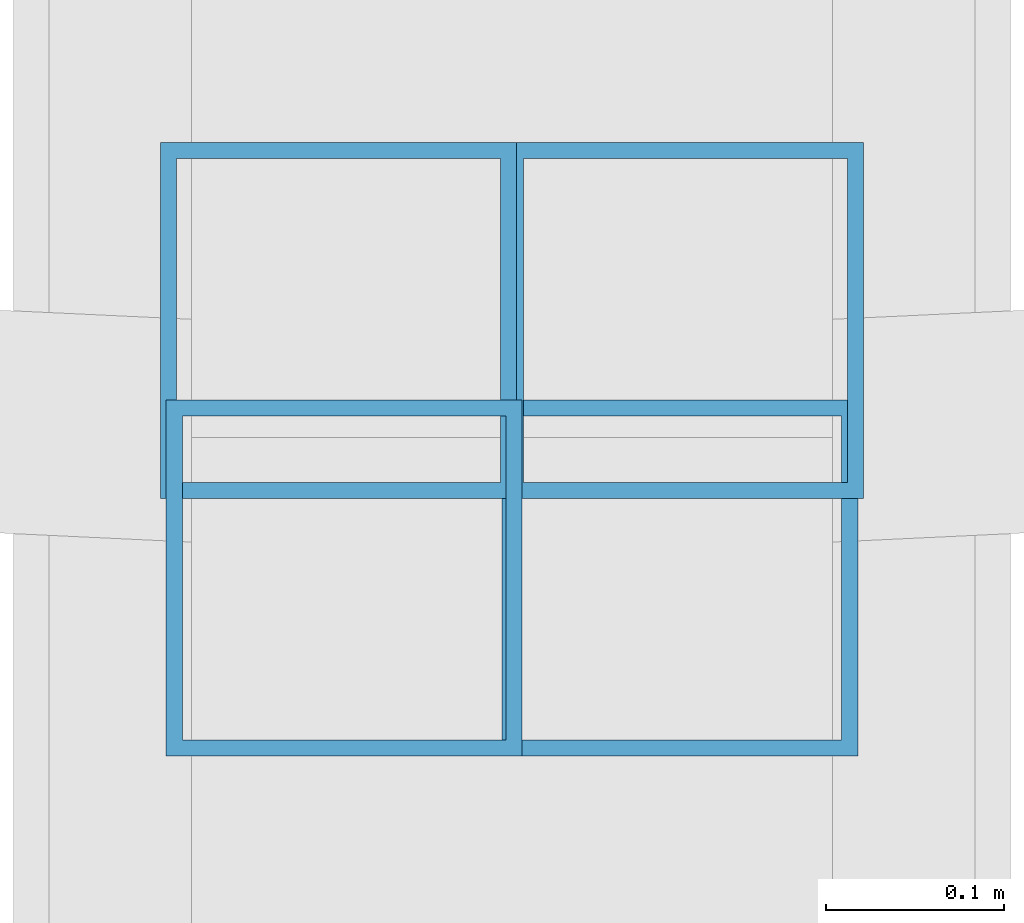
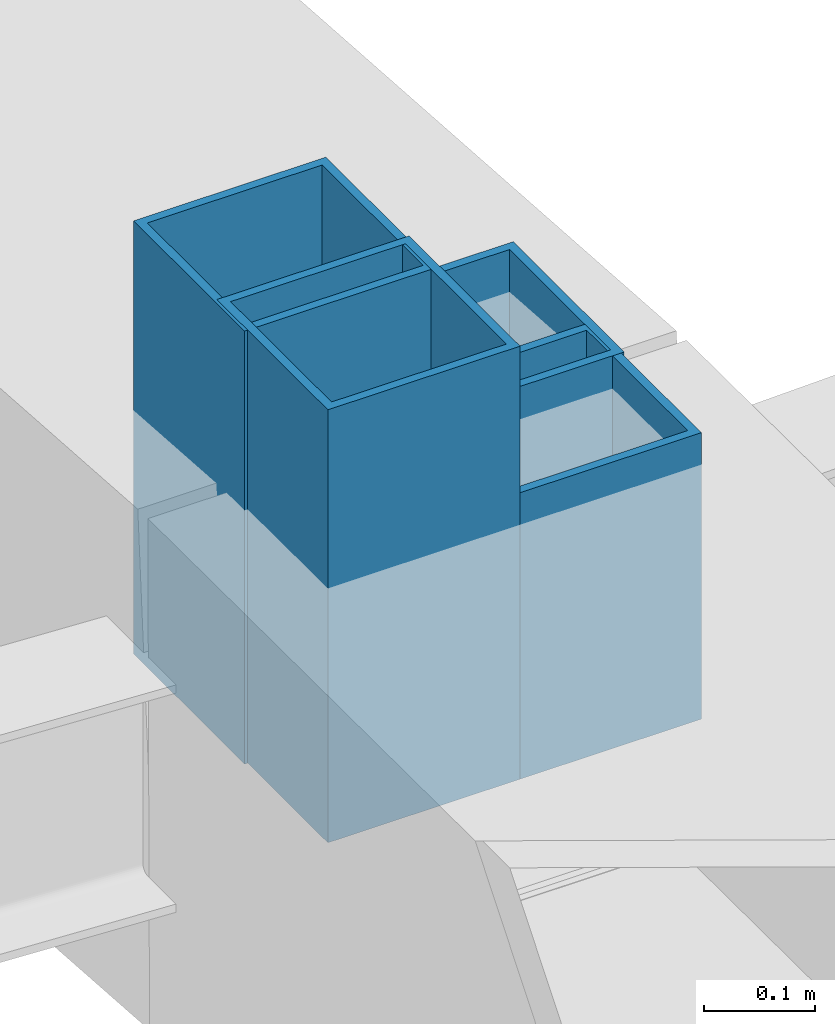
# One storey, part 99 of 162: 4 members.
"""IFC4 building model written with IfcOpenShell, lengths in metres."""

from ifc_helpers import new_model, si_unit, direction, frame, origin, origin_2d, place, context, subcontext, project, spatial, hollow_rectangle, extrude, material, material_profile, profile_set, type_object, element, save


model = new_model("IFC4")

# Units and contexts
model_context = context("Model", 3, precision=1e-05, world=origin(), true_north=direction((0.0, 1.0)))
body_context = subcontext(model_context, "Body", "Model", "MODEL_VIEW")
ifc_project = project(units=[si_unit("LENGTHUNIT", "METRE"), si_unit("AREAUNIT", "SQUARE_METRE"), si_unit("VOLUMEUNIT", "CUBIC_METRE"), si_unit("PLANEANGLEUNIT", "RADIAN"), si_unit("MASSUNIT", "GRAM", prefix="KILO")], contexts=[model_context])

# Site, building, storey
site_placement = place(None, origin())
site = spatial("IfcSite", under=ifc_project, at=site_placement, CompositionType="ELEMENT")
building_placement = place(site_placement, origin())
building = spatial("IfcBuilding", under=site, at=building_placement, Name="Kazemori Nagisa Stadium", CompositionType="ELEMENT")
storey_placement = place(building_placement, frame((0.0, 0.0, 36.719970703125)))
storey = spatial("IfcBuildingStorey", under=building, at=storey_placement, Name="RF", CompositionType="ELEMENT", Elevation=36.719970703125)

# Members
ifc_material = material(Name="Steel STKR490", Category="steel")
ifc_material_profile = material_profile(ifc_material, hollow_rectangle(XDim=0.199951171875, YDim=0.199951171875, WallThickness=0.009033203125, at=origin_2d()), Name="SHS-200x200x9")
ifc_profile_set = profile_set([ifc_material_profile], Name="Steel STKR490")
member_type = type_object("IfcMemberType", Name="Member_TS-SHS200", PredefinedType="STRUT", material=ifc_profile_set)
for number, where, z_axis, x_axis, name in (
    (1, (122.90576171875, 41.897705078125, 6.10498046875), (0.0, 0.0, 1.0), (1.0, 0.0, 0.0), "Canopy bearing stool B21-mid-3"),
    (2, (122.902587890625, 42.042236328125, 6.10498046875), (0.0, 0.0, 1.0), (1.0, 0.0, 0.0), "Canopy bearing stool B21-inner-2"),
):
    element("IfcMember", number, at=place(storey_placement, frame(where, z_axis=z_axis, x_axis=x_axis)), inside=storey, type_object=member_type, Name=name, PredefinedType="STRUT", context=body_context, shape_type="SweptSolid", body=[
        extrude(hollow_rectangle(XDim=0.199951171875, YDim=0.199951171875, WallThickness=0.009033203125, at=origin_2d()), origin(), (0.0, 0.0, 1.0), 0.47607421875),
    ])
for number, where, z_axis, x_axis, name in (
    (3, (123.09423828125, 41.897705078125, 6.10498046875), (0.0, 0.0, 1.0), (1.0, 0.0, 0.0), "Canopy bearing stool B22-mid-4"),
    (4, (123.097412109375, 42.042236328125, 6.10498046875), (0.0, 0.0, 1.0), (1.0, 0.0, 0.0), "Canopy bearing stool B22-inner-1"),
):
    element("IfcMember", number, at=place(storey_placement, frame(where, z_axis=z_axis, x_axis=x_axis)), inside=storey, type_object=member_type, Name=name, PredefinedType="STRUT", context=body_context, shape_type="SweptSolid", body=[
        extrude(hollow_rectangle(XDim=0.199951171875, YDim=0.199951171875, WallThickness=0.009033203125, at=origin_2d()), origin(), (0.0, 0.0, 1.0), 0.31494140625),
    ])

save(model, "model.ifc")
